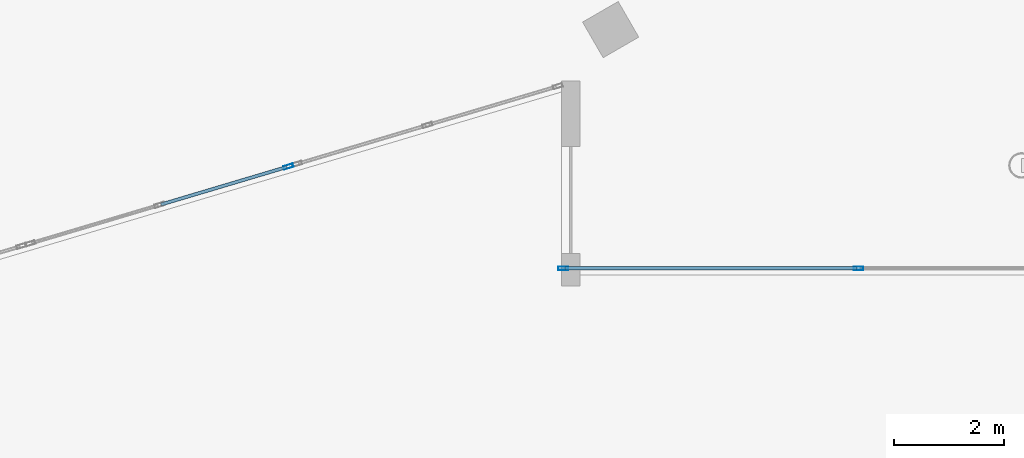
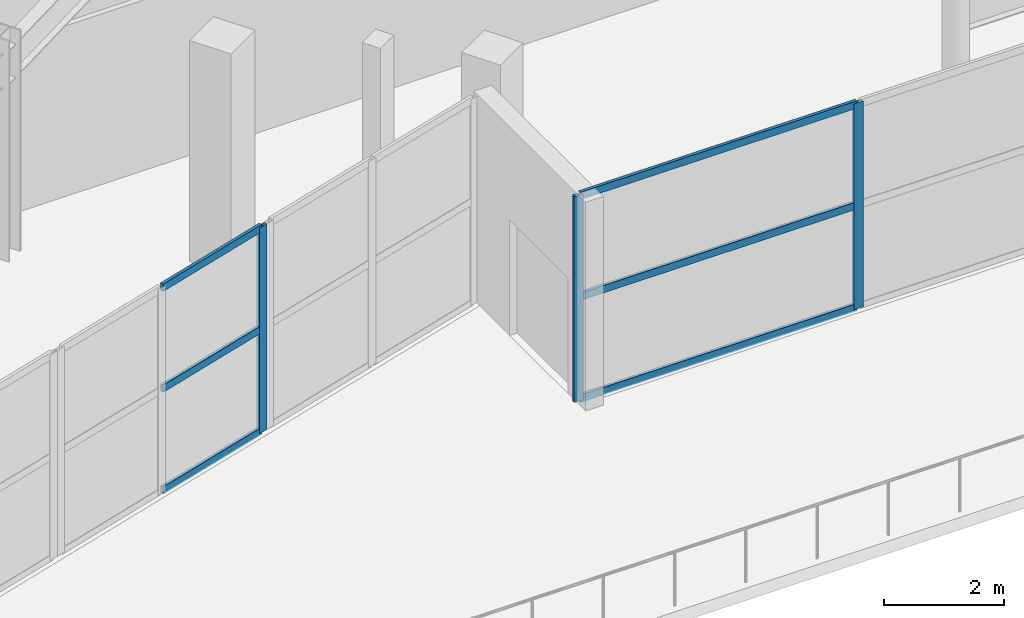
# One storey, part 39 of 107: 9 members, 2 elements without a shape of their own.
"""IFC4 building model written with IfcOpenShell, lengths in metres."""

from ifc_helpers import new_model, si_unit, direction, frame, origin, origin_2d, place, context, subcontext, project, spatial, hollow_rectangle, extrude, material, layer, layer_set, material_profile, profile_set, type_object, element, aggregate, save


model = new_model("IFC4")

# Units and contexts
model_context = context("Model", 3, precision=1e-05, world=origin(), true_north=direction((0.0, 1.0)))
body_context = subcontext(model_context, "Body", "Model", "MODEL_VIEW")
ifc_project = project(units=[si_unit("LENGTHUNIT", "METRE"), si_unit("AREAUNIT", "SQUARE_METRE"), si_unit("VOLUMEUNIT", "CUBIC_METRE"), si_unit("PLANEANGLEUNIT", "RADIAN"), si_unit("MASSUNIT", "GRAM", prefix="KILO")], contexts=[model_context])

# Site, building, storey
site_placement = place(None, origin())
site = spatial("IfcSite", under=ifc_project, at=site_placement, CompositionType="ELEMENT")
building_placement = place(site_placement, origin())
building = spatial("IfcBuilding", under=site, at=building_placement, Name="Kalgoora Escarpment Arena", CompositionType="ELEMENT")
storey_placement = place(building_placement, frame((0.0, 0.0, 5.39990234375)))
storey = spatial("IfcBuildingStorey", under=building, at=storey_placement, Name="L01", CompositionType="ELEMENT", Elevation=5.39990234375)

# Curtain wall, members
ifc_material_1 = material(Name=" Champagne anodised aluminium & double-glazed low-E", Category="aluminium")
ifc_layer_1 = layer(ifc_material_1, 0.14990234375)
ifc_layer_set_1 = layer_set([ifc_layer_1], Name="CW-UNIT-05")
curtain_wall_type_1 = type_object("IfcCurtainWallType", Name="CW-UNIT-05", PredefinedType="NOTDEFINED", material=ifc_layer_set_1)
curtain_wall_1_placement = place(storey_placement, origin())
curtain_wall_1 = element("IfcCurtainWall", 1, at=curtain_wall_1_placement, inside=storey, type_object=curtain_wall_type_1, Name="L01 unitised facade curtain wall 004", PredefinedType="NOTDEFINED")
ifc_material_2 = material(Name="Anodised aluminium 6063-T6", Category="aluminium")
ifc_material_profile_1 = material_profile(ifc_material_2, hollow_rectangle(XDim=0.06494140625, YDim=0.179931640625, WallThickness=0.00390625, at=origin_2d()))
ifc_profile_set_1 = profile_set([ifc_material_profile_1], Name="Anodised aluminium 6063-T6")
member_type_1 = type_object("IfcMemberType", Name="MEM-CW-MULL-180", PredefinedType="MULLION", material=ifc_profile_set_1)
member_1_placement = place(storey_placement, frame((139.824951171875, 6.1201171875, 0.02001953125), z_axis=(0.0, 0.0, 1.0), x_axis=(0.0, -1.0, 0.0)))
member_1 = element("IfcMember", 2, at=member_1_placement, type_object=member_type_1, Name="CW-05 mullion 2", PredefinedType="MULLION", context=body_context, shape_type="SweptSolid", body=[
    extrude(hollow_rectangle(XDim=0.06494140625, YDim=0.179931640625, WallThickness=0.00390625, at=origin_2d()), origin(), (0.0, 0.0, 1.0), 4.190185546875),
])
member_2_placement = place(storey_placement, frame((134.4326171875, 6.1201171875, 0.02001953125), z_axis=(0.0, 0.0, 1.0), x_axis=(0.0, -1.0, 0.0)))
member_2 = element("IfcMember", 3, at=member_2_placement, type_object=member_type_1, Name="CW-05 mullion 3", PredefinedType="MULLION", context=body_context, shape_type="SweptSolid", body=[
    extrude(hollow_rectangle(XDim=0.06494140625, YDim=0.179931640625, WallThickness=0.00390625, at=origin_2d()), origin(), (0.0, 0.0, 1.0), 4.190185546875),
])

# Curtain wall, member
ifc_material_3 = material(Name=" Champagne anodised aluminium & double-glazed low-E", Category="aluminium")
ifc_layer_2 = layer(ifc_material_3, 0.157958984375)
ifc_layer_set_2 = layer_set([ifc_layer_2], Name="CW-UNIT-07")
curtain_wall_type_2 = type_object("IfcCurtainWallType", Name="CW-UNIT-07", PredefinedType="NOTDEFINED", material=ifc_layer_set_2)
curtain_wall_2_placement = place(storey_placement, origin())
curtain_wall_2 = element("IfcCurtainWall", 4, at=curtain_wall_2_placement, inside=storey, type_object=curtain_wall_type_2, Name="L01 unitised facade curtain wall 006", PredefinedType="NOTDEFINED")
member_3_placement = place(storey_placement, frame((129.416015625, 7.9794921875, 0.02001953125), z_axis=(0.0, 0.0, 1.0), x_axis=(0.285627593932, -0.958340689726, 0.0)))
member_3 = element("IfcMember", 5, at=member_3_placement, type_object=member_type_1, Name="CW-07 mullion 1", PredefinedType="MULLION", context=body_context, shape_type="SweptSolid", body=[
    extrude(hollow_rectangle(XDim=0.06494140625, YDim=0.179931640625, WallThickness=0.00390625, at=origin_2d()), origin(), (0.0, 0.0, 1.0), 4.190185546875),
])

# Member
ifc_material_4 = material(Name="Anodised aluminium 6063-T6", Category="aluminium")
ifc_material_profile_2 = material_profile(ifc_material_4, hollow_rectangle(XDim=0.06005859375, YDim=0.14990234375, WallThickness=0.00341796875, at=origin_2d()))
ifc_profile_set_2 = profile_set([ifc_material_profile_2], Name="Anodised aluminium 6063-T6")
member_type_2 = type_object("IfcMemberType", Name="MEM-CW-TRAN-150", PredefinedType="USERDEFINED", material=ifc_profile_set_2)
member_4_placement = place(storey_placement, frame((139.79248046875, 6.1201171875, 0.050048828125), z_axis=(-1.0, 0.0, 0.0), x_axis=(0.0, -1.0, 0.0)))
member_4 = element("IfcMember", 6, at=member_4_placement, type_object=member_type_2, Name="CW-05 transom 2.1", ObjectType="TRANSOM", PredefinedType="USERDEFINED", context=body_context, shape_type="SweptSolid", body=[
    extrude(hollow_rectangle(XDim=0.06005859375, YDim=0.14990234375, WallThickness=0.00341796875, at=origin_2d()), origin(), (0.0, 0.0, 1.0), 5.327392578125),
])

member_5_placement = place(storey_placement, frame((139.79248046875, 6.1201171875, 2.125), z_axis=(-1.0, 0.0, 0.0), x_axis=(0.0, -1.0, 0.0)))
member_5 = element("IfcMember", 7, at=member_5_placement, type_object=member_type_2, Name="CW-05 transom 2.2", ObjectType="TRANSOM", PredefinedType="USERDEFINED", context=body_context, shape_type="SweptSolid", body=[
    extrude(hollow_rectangle(XDim=0.06005859375, YDim=0.14990234375, WallThickness=0.00341796875, at=origin_2d()), origin(), (0.0, 0.0, 1.0), 5.327392578125),
])

member_6_placement = place(storey_placement, frame((139.79248046875, 6.1201171875, 4.18017578125), z_axis=(-1.0, 0.0, 0.0), x_axis=(0.0, -1.0, 0.0)))
member_6 = element("IfcMember", 8, at=member_6_placement, type_object=member_type_2, Name="CW-05 transom 2.3", ObjectType="TRANSOM", PredefinedType="USERDEFINED", context=body_context, shape_type="SweptSolid", body=[
    extrude(hollow_rectangle(XDim=0.06005859375, YDim=0.14990234375, WallThickness=0.00341796875, at=origin_2d()), origin(), (0.0, 0.0, 1.0), 5.327392578125),
])

aggregate(curtain_wall_1, [member_1, member_2, member_4, member_5, member_6])

member_7_placement = place(storey_placement, frame((129.384765625, 7.97021484375, 0.050048828125), z_axis=(-0.958324508316, -0.285681880352, 0.0), x_axis=(0.285681880352, -0.958324508316, 0.0)))
member_7 = element("IfcMember", 9, at=member_7_placement, type_object=member_type_2, Name="CW-07 transom 1.1", ObjectType="TRANSOM", PredefinedType="USERDEFINED", context=body_context, shape_type="SweptSolid", body=[
    extrude(hollow_rectangle(XDim=0.06005859375, YDim=0.14990234375, WallThickness=0.00341796875, at=origin_2d()), origin(), (0.0, 0.0, 1.0), 2.393798828125),
])

member_8_placement = place(storey_placement, frame((129.384765625, 7.97021484375, 2.125), z_axis=(-0.958324508316, -0.285681880352, 0.0), x_axis=(0.285681880352, -0.958324508316, 0.0)))
member_8 = element("IfcMember", 10, at=member_8_placement, type_object=member_type_2, Name="CW-07 transom 1.2", ObjectType="TRANSOM", PredefinedType="USERDEFINED", context=body_context, shape_type="SweptSolid", body=[
    extrude(hollow_rectangle(XDim=0.06005859375, YDim=0.14990234375, WallThickness=0.00341796875, at=origin_2d()), origin(), (0.0, 0.0, 1.0), 2.393798828125),
])

member_9_placement = place(storey_placement, frame((129.384765625, 7.97021484375, 4.18017578125), z_axis=(-0.958324508316, -0.285681880352, 0.0), x_axis=(0.285681880352, -0.958324508316, 0.0)))
member_9 = element("IfcMember", 11, at=member_9_placement, type_object=member_type_2, Name="CW-07 transom 1.3", ObjectType="TRANSOM", PredefinedType="USERDEFINED", context=body_context, shape_type="SweptSolid", body=[
    extrude(hollow_rectangle(XDim=0.06005859375, YDim=0.14990234375, WallThickness=0.00341796875, at=origin_2d()), origin(), (0.0, 0.0, 1.0), 2.393798828125),
])

aggregate(curtain_wall_2, [member_3, member_7, member_8, member_9])

save(model, "model.ifc")
